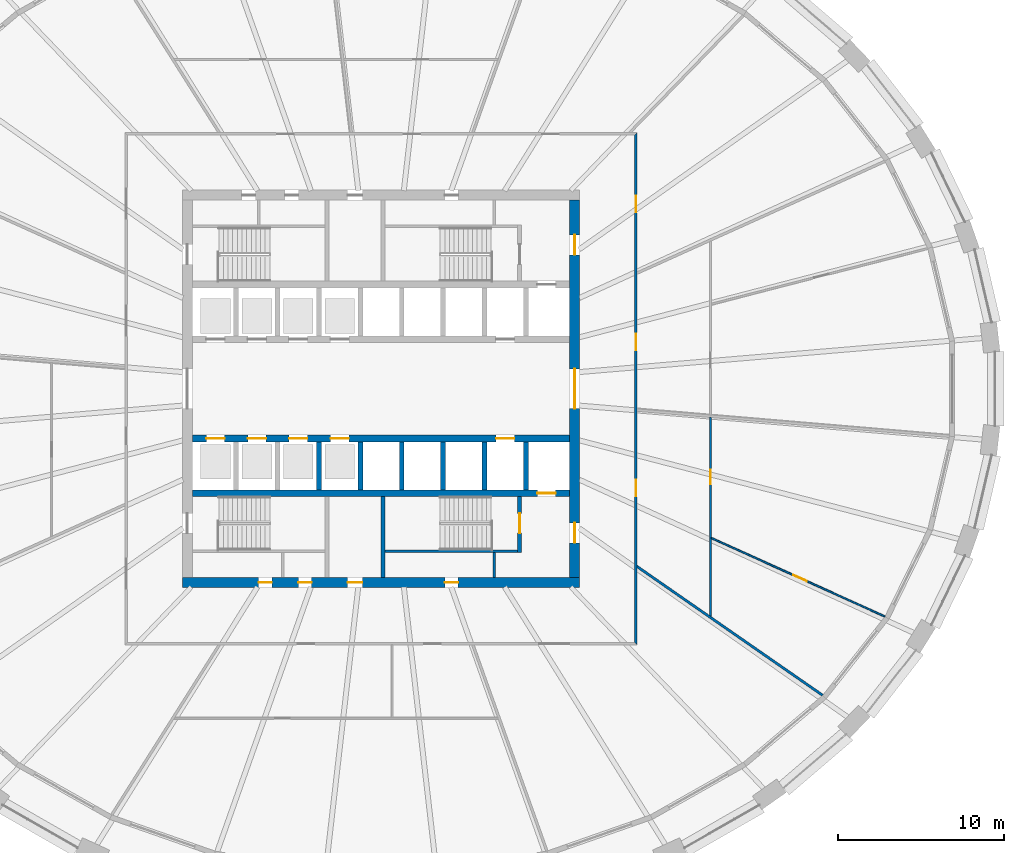
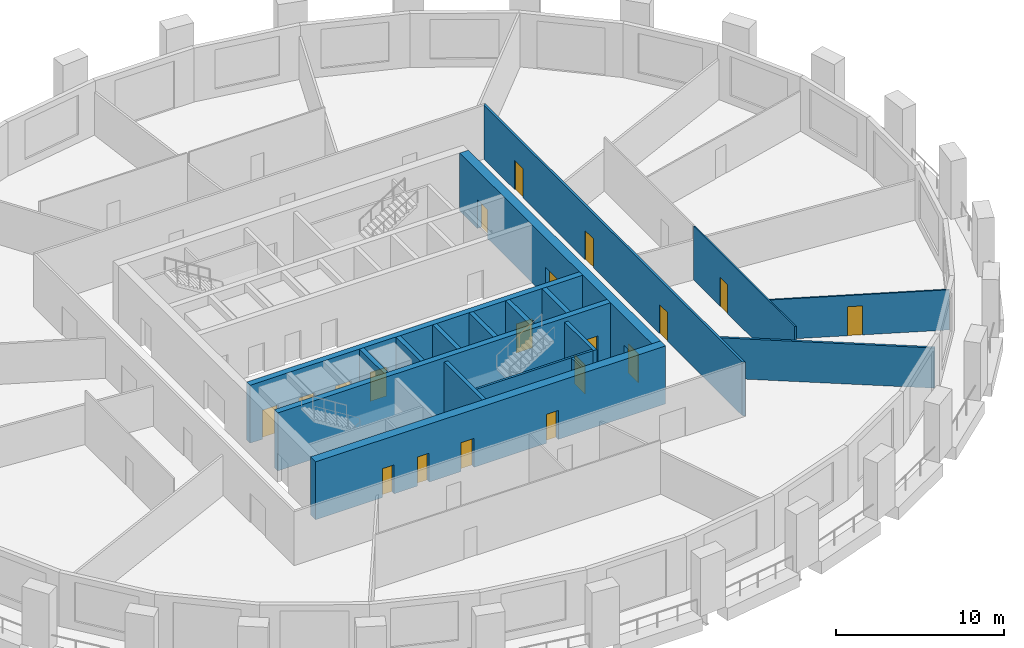
# One storey, part 4 of 10: 19 doors, 18 walls, 19 openings.
"""IFC4 building model written with IfcOpenShell, lengths in metres."""

from ifc_helpers import new_model, si_unit, direction, frame, frame_2d, origin, place, context, subcontext, project, spatial, polyline, rectangle, outline, extrude, material, layer, layer_set, type_object, element, fill, save


model = new_model("IFC4")

# Units and contexts
model_context = context("Model", 3, precision=1e-05, world=origin(), true_north=direction((0.0, 1.0)))
body_context = subcontext(model_context, "Body", "Model", "MODEL_VIEW")
ifc_project = project(units=[si_unit("LENGTHUNIT", "METRE"), si_unit("AREAUNIT", "SQUARE_METRE"), si_unit("VOLUMEUNIT", "CUBIC_METRE"), si_unit("PLANEANGLEUNIT", "RADIAN"), si_unit("MASSUNIT", "GRAM", prefix="KILO")], contexts=[model_context])

# Site, building, storey
site_placement = place(None, origin())
site = spatial("IfcSite", under=ifc_project, at=site_placement, CompositionType="ELEMENT")
building_placement = place(site_placement, origin())
building = spatial("IfcBuilding", under=site, at=building_placement, Name="Halqa Exchange Tower", CompositionType="ELEMENT")
storey_placement = place(building_placement, frame((0.0, 0.0, 57.10009765625)))
storey = spatial("IfcBuildingStorey", under=building, at=storey_placement, Name="L12", CompositionType="ELEMENT", Elevation=57.10009765625)

# Wall, openings, doors
ifc_material_1 = material(Name="Fire-rated gypsum board")
ifc_layer_1 = layer(ifc_material_1, 0.14990234375)
ifc_layer_set_1 = layer_set([ifc_layer_1], Name="Fire-rated gypsum board")
wall_type_1 = type_object("IfcWallType", Name="Fire partition EI 60 150", PredefinedType="PARTITIONING", material=ifc_layer_set_1)
wall_1_placement = place(storey_placement, frame((15.39990234375, -15.47509765625, 0.0), z_axis=(0.0, 0.0, 1.0), x_axis=(0.0, 1.0, 0.0)))
wall_1 = element("IfcWall", 1, at=wall_1_placement, inside=storey, type_object=wall_type_1, Name="L12-PWL-018", PredefinedType="PARTITIONING", context=body_context, shape_type="SweptSolid", body=[
    extrude(outline(polyline([(0.000244140625, -0.074951171875), (1.9345703125, -0.074951171875), (3.868896484375, -0.074951171875), (5.80322265625, -0.074951171875), (7.73779296875, -0.074951171875), (9.672119140625, -0.074951171875), (11.6064453125, -0.074951171875), (13.540771484375, -0.074951171875), (15.47509765625, -0.074951171875), (17.409423828125, -0.074951171875), (19.34375, -0.074951171875), (21.278076171875, -0.074951171875), (23.21240234375, -0.074951171875), (25.14697265625, -0.074951171875), (27.081298828125, -0.074951171875), (29.015625, -0.074951171875), (30.949951171875, -0.074951171875), (30.800048828125, 0.074951171875), (28.884521484375, 0.074951171875), (26.96875, 0.074951171875), (25.05322265625, 0.074951171875), (23.1376953125, 0.074951171875), (21.221923828125, 0.074951171875), (19.306396484375, 0.074951171875), (17.390625, 0.074951171875), (15.47509765625, 0.074951171875), (13.5595703125, 0.074951171875), (11.643798828125, 0.074951171875), (9.728271484375, 0.074951171875), (7.8125, 0.074951171875), (5.89697265625, 0.074951171875), (3.9814453125, 0.074951171875), (2.065673828125, 0.074951171875), (0.150146484375, 0.074951171875), (0.000244140625, -0.074951171875)])), origin(), (0.0, 0.0, 1.0), 3.89990234375),
])
opening_1_placement = place(wall_1_placement, frame((8.989990234375, 0.0, 0.0)))
opening_1 = element("IfcOpeningElement", 2, at=opening_1_placement, cuts=wall_1, Name="Opening 03-10", PredefinedType="OPENING", context=body_context, shape_type="SweptSolid", body=[
    extrude(rectangle(XDim=1.0, YDim=2.10009765625, at=frame_2d((0.5, 1.050048828125))), frame((0.0, 0.0869140625, 0.0), z_axis=(0.0, -1.0, 0.0), x_axis=(1.0, 0.0, 0.0)), (0.0, 0.0, 1.0), 0.173828125),
])
opening_2_placement = place(wall_1_placement, frame((17.81494140625, 0.0, 0.0)))
opening_2 = element("IfcOpeningElement", 3, at=opening_2_placement, cuts=wall_1, Name="Opening 03-11", PredefinedType="OPENING", context=body_context, shape_type="SweptSolid", body=[
    extrude(rectangle(XDim=1.0, YDim=2.10009765625, at=frame_2d((0.5, 1.050048828125))), frame((0.0, 0.0869140625, 0.0), z_axis=(0.0, -1.0, 0.0), x_axis=(1.0, 0.0, 0.0)), (0.0, 0.0, 1.0), 0.173828125),
])
opening_3_placement = place(wall_1_placement, frame((26.155029296875, 0.0, 0.0)))
opening_3 = element("IfcOpeningElement", 4, at=opening_3_placement, cuts=wall_1, Name="Opening 03-12", PredefinedType="OPENING", context=body_context, shape_type="SweptSolid", body=[
    extrude(rectangle(XDim=1.0, YDim=2.10009765625, at=frame_2d((0.5, 1.050048828125))), frame((0.0, 0.0869140625, 0.0), z_axis=(0.0, -1.0, 0.0), x_axis=(1.0, 0.0, 0.0)), (0.0, 0.0, 1.0), 0.173828125),
])
ifc_material_2 = material(Name="Steel fire door leaf", Category="steel")
door_type_1 = type_object("IfcDoorType", Name="Fire door FD30S 1000 x 2100", OperationType="SINGLE_SWING_LEFT", PredefinedType="DOOR", material=ifc_material_2)
door_1_placement = place(opening_1_placement, frame((1.0, 0.0, 0.0), z_axis=(0.0, 0.0, 1.0), x_axis=(-1.0, 0.0, 0.0)))
door_1 = element("IfcDoor", 5, at=door_1_placement, inside=storey, type_object=door_type_1, Name="L12-IDR-010", OperationType="SINGLE_SWING_RIGHT", OverallHeight=2.10009765625, OverallWidth=1.0, PredefinedType="DOOR", context=body_context, shape_type="SweptSolid", body=[
    extrude(rectangle(XDim=1.0, YDim=2.10009765625, at=frame_2d((0.5, 1.050048828125))), frame((0.0, 0.02490234375, 0.0), z_axis=(0.0, -1.0, 0.0), x_axis=(1.0, 0.0, 0.0)), (0.0, 0.0, 1.0), 0.050048828125),
])
fill(opening_1, door_1)
door_2_placement = place(opening_2_placement, frame((1.0, 0.0, 0.0), z_axis=(0.0, 0.0, 1.0), x_axis=(-1.0, 0.0, 0.0)))
door_2 = element("IfcDoor", 6, at=door_2_placement, inside=storey, type_object=door_type_1, Name="L12-IDR-011", OperationType="SINGLE_SWING_RIGHT", OverallHeight=2.10009765625, OverallWidth=1.0, PredefinedType="DOOR", context=body_context, shape_type="SweptSolid", body=[
    extrude(rectangle(XDim=1.0, YDim=2.10009765625, at=frame_2d((0.5, 1.050048828125))), frame((0.0, 0.02490234375, 0.0), z_axis=(0.0, -1.0, 0.0), x_axis=(1.0, 0.0, 0.0)), (0.0, 0.0, 1.0), 0.050048828125),
])
fill(opening_2, door_2)
door_3_placement = place(opening_3_placement, frame((1.0, 0.0, 0.0), z_axis=(0.0, 0.0, 1.0), x_axis=(-1.0, 0.0, 0.0)))
door_3 = element("IfcDoor", 7, at=door_3_placement, inside=storey, type_object=door_type_1, Name="L12-IDR-012", OperationType="SINGLE_SWING_LEFT", OverallHeight=2.10009765625, OverallWidth=1.0, PredefinedType="DOOR", context=body_context, shape_type="SweptSolid", body=[
    extrude(rectangle(XDim=1.0, YDim=2.10009765625, at=frame_2d((0.5, 1.050048828125))), frame((0.0, 0.02490234375, 0.0), z_axis=(0.0, -1.0, 0.0), x_axis=(1.0, 0.0, 0.0)), (0.0, 0.0, 1.0), 0.050048828125),
])
fill(opening_3, door_3)

# Wall
wall_2_placement = place(storey_placement, frame((15.4326171875, -10.71240234375, 0.0), z_axis=(0.0, 0.0, 1.0), x_axis=(0.82159356676, -0.570073689148, 0.0)))
element("IfcWall", 8, at=wall_2_placement, inside=storey, type_object=wall_type_1, Name="L12-PWL-019", PredefinedType="PARTITIONING", context=body_context, shape_type="SweptSolid", body=[
    extrude(outline(polyline([(0.103515625, -0.074951171875), (2.04150390625, -0.074951171875), (3.9794921875, -0.074951171875), (5.917236328125, -0.074951171875), (7.855224609375, -0.074951171875), (9.793212890625, -0.074951171875), (11.731201171875, -0.074951171875), (13.6689453125, -0.074951171875), (13.689697265625, 0.001953125), (13.694091796875, 0.073974609375), (13.694091796875, 0.074951171875), (12.021484375, 0.074951171875), (10.348876953125, 0.074951171875), (8.67626953125, 0.074951171875), (7.003662109375, 0.074951171875), (5.331298828125, 0.074951171875), (5.32666015625, 0.07177734375), (5.32470703125, 0.074951171875), (3.5498046875, 0.074951171875), (1.77490234375, 0.074951171875), (0.0, 0.074951171875), (0.0, 0.074462890625), (0.103515625, -0.074951171875)])), origin(), (0.0, 0.0, 1.0), 2.909912109375),
])

# Wall, opening, door
ifc_material_3 = material(Name="Gypsum board")
ifc_layer_2 = layer(ifc_material_3, 0.10009765625)
ifc_layer_set_2 = layer_set([ifc_layer_2], Name="Gypsum board")
wall_type_2 = type_object("IfcWallType", Name="Partition 100 gypsum", PredefinedType="PARTITIONING", material=ifc_layer_set_2)
wall_3_placement = place(storey_placement, frame((19.89990234375, -13.755615234375, 0.0), z_axis=(0.0, 0.0, 1.0), x_axis=(0.0, 1.0, 0.0)))
wall_3 = element("IfcWall", 9, at=wall_3_placement, inside=storey, type_object=wall_type_2, Name="L12-PWL-022", PredefinedType="PARTITIONING", context=body_context, shape_type="SweptSolid", body=[
    extrude(outline(polyline([(0.0, -0.050048828125), (1.562744140625, -0.050048828125), (3.12548828125, -0.050048828125), (4.688232421875, -0.050048828125), (4.689208984375, -0.0478515625), (4.69384765625, -0.050048828125), (6.525390625, -0.050048828125), (8.35693359375, -0.050048828125), (10.188232421875, -0.050048828125), (12.019775390625, -0.050048828125), (12.028076171875, 0.049072265625), (12.028076171875, 0.050048828125), (10.034912109375, 0.050048828125), (8.041748046875, 0.050048828125), (6.048828125, 0.050048828125), (4.0556640625, 0.050048828125), (2.0625, 0.050048828125), (0.0693359375, 0.050048828125), (0.0, -0.050048828125), (0.0, -0.050048828125)])), origin(), (0.0, 0.0, 1.0), 3.89990234375),
])
opening_4_placement = place(wall_3_placement, frame((7.98046875, 0.0, 0.0)))
opening_4 = element("IfcOpeningElement", 10, at=opening_4_placement, cuts=wall_3, Name="Opening 03-18", PredefinedType="OPENING", context=body_context, shape_type="SweptSolid", body=[
    extrude(rectangle(XDim=0.89990234375, YDim=2.10009765625, at=frame_2d((0.449951171875, 1.050048828125))), frame((0.0, 0.06201171875, 0.0), z_axis=(0.0, -1.0, 0.0), x_axis=(1.0, 0.0, 0.0)), (0.0, 0.0, 1.0), 0.1240234375),
])
ifc_material_4 = material(Name="Timber door leaf", Category="wood")
door_type_2 = type_object("IfcDoorType", Name="Door 900 x 2100", OperationType="SINGLE_SWING_LEFT", PredefinedType="DOOR", material=ifc_material_4)
door_4_placement = place(opening_4_placement, origin())
door_4 = element("IfcDoor", 11, at=door_4_placement, inside=storey, type_object=door_type_2, Name="L12-IDR-018", OperationType="SINGLE_SWING_LEFT", OverallHeight=2.10009765625, OverallWidth=0.89990234375, PredefinedType="DOOR", context=body_context, shape_type="SweptSolid", body=[
    extrude(rectangle(XDim=0.89990234375, YDim=2.10009765625, at=frame_2d((0.449951171875, 1.050048828125))), frame((0.0, 0.02490234375, 0.0), z_axis=(0.0, -1.0, 0.0), x_axis=(1.0, 0.0, 0.0)), (0.0, 0.0, 1.0), 0.050048828125),
])
fill(opening_4, door_4)

wall_4_placement = place(storey_placement, frame((19.9296875, -9.00341796875, 0.0), z_axis=(0.0, 0.0, 1.0), x_axis=(0.911257901719, -0.41183617684, 0.0)))
wall_4 = element("IfcWall", 12, at=wall_4_placement, inside=storey, type_object=wall_type_2, Name="L12-PWL-023", PredefinedType="PARTITIONING", context=body_context, shape_type="SweptSolid", body=[
    extrude(outline(polyline([(0.044921875, -0.050048828125), (1.9580078125, -0.050048828125), (3.871337890625, -0.050048828125), (5.78466796875, -0.050048828125), (7.69775390625, -0.050048828125), (9.611083984375, -0.050048828125), (11.524169921875, -0.050048828125), (11.535888671875, -0.003662109375), (11.537353515625, 0.0478515625), (11.537353515625, 0.050048828125), (9.614501953125, 0.050048828125), (7.691650390625, 0.050048828125), (5.7685546875, 0.050048828125), (3.845703125, 0.050048828125), (1.9228515625, 0.050048828125), (0.0, 0.050048828125), (0.0, 0.04931640625), (0.044921875, -0.050048828125)])), origin(), (0.0, 0.0, 1.0), 2.909912109375),
])
opening_5_placement = place(wall_4_placement, frame((5.454345703125, 0.0, 0.0)))
opening_5 = element("IfcOpeningElement", 13, at=opening_5_placement, cuts=wall_4, Name="Opening 03-19", PredefinedType="OPENING", context=body_context, shape_type="SweptSolid", body=[
    extrude(rectangle(XDim=0.89990234375, YDim=2.10009765625, at=frame_2d((0.449951171875, 1.050048828125))), frame((0.0, 0.06201171875, 0.0), z_axis=(0.0, -1.0, 0.0), x_axis=(1.0, 0.0, 0.0)), (0.0, 0.0, 1.0), 0.1240234375),
])
door_5_placement = place(opening_5_placement, frame((0.89990234375, 0.0, 0.0), z_axis=(0.0, 0.0, 1.0), x_axis=(-1.0, 0.0, 0.0)))
door_5 = element("IfcDoor", 14, at=door_5_placement, inside=storey, type_object=door_type_2, Name="L12-IDR-019", OperationType="SINGLE_SWING_RIGHT", OverallHeight=2.10009765625, OverallWidth=0.89990234375, PredefinedType="DOOR", context=body_context, shape_type="SweptSolid", body=[
    extrude(rectangle(XDim=0.89990234375, YDim=2.10009765625, at=frame_2d((0.449951171875, 1.050048828125))), frame((0.0, 0.02490234375, 0.0), z_axis=(0.0, -1.0, 0.0), x_axis=(1.0, 0.0, 0.0)), (0.0, 0.0, 1.0), 0.050048828125),
])
fill(opening_5, door_5)

# Walls
ifc_layer_3 = layer(ifc_material_3, 0.14990234375)
ifc_layer_set_3 = layer_set([ifc_layer_3], Name="Gypsum board")
wall_type_3 = type_object("IfcWallType", Name="Penthouse riser wall 150 gypsum", PredefinedType="PARTITIONING", material=ifc_layer_set_3)
wall_5_placement = place(storey_placement, frame((6.824951171875, -11.39990234375, 0.0), z_axis=(0.0, 0.0, 1.0), x_axis=(0.0, 1.0, 0.0)))
element("IfcWall", 15, at=wall_5_placement, inside=storey, type_object=wall_type_3, Name="Firefighting lobby west wall S", PredefinedType="PARTITIONING", context=body_context, shape_type="SweptSolid", body=[
    extrude(rectangle(XDim=1.5, YDim=0.14990234375, at=frame_2d((0.75, 0.0))), origin(), (0.0, 0.0, 1.0), 3.89990234375),
])
ifc_material_5 = material(Name="Concrete C60/75", Category="concrete")
ifc_layer_4 = layer(ifc_material_5, 0.300048828125)
ifc_layer_set_4 = layer_set([ifc_layer_4], Name="Concrete C60/75")
wall_type_4 = type_object("IfcWallType", Name="RC core wall 300", PredefinedType="SHEAR", material=ifc_layer_set_4)
for number, where, z_axis, x_axis, name in (
    (16, (-3.75, -6.10009765625, 0.0), (0.0, 0.0, 1.0), (0.0, 1.0, 0.0), "Shaft divider S3"),
    (17, (-1.25, -6.10009765625, 0.0), (0.0, 0.0, 1.0), (0.0, 1.0, 0.0), "Shaft divider S4"),
    (18, (1.25, -6.10009765625, 0.0), (0.0, 0.0, 1.0), (0.0, 1.0, 0.0), "Shaft divider S5"),
    (19, (3.75, -6.10009765625, 0.0), (0.0, 0.0, 1.0), (0.0, 1.0, 0.0), "Shaft divider S6"),
    (20, (6.25, -6.10009765625, 0.0), (0.0, 0.0, 1.0), (0.0, 1.0, 0.0), "Shaft divider S7"),
    (21, (8.75, -6.10009765625, 0.0), (0.0, 0.0, 1.0), (0.0, 1.0, 0.0), "Shaft divider S8"),
):
    element("IfcWall", number, at=place(storey_placement, frame(where, z_axis=z_axis, x_axis=x_axis)), inside=storey, type_object=wall_type_4, Name=name, PredefinedType="SHEAR", context=body_context, shape_type="SweptSolid", body=[
        extrude(rectangle(XDim=2.900146484375, YDim=0.300048828125, at=frame_2d((1.4501953125, 0.0))), origin(), (0.0, 0.0, 1.0), 4.199951171875),
    ])

# Wall, openings, doors
ifc_material_6 = material(Name="Concrete C80/95", Category="concrete")
ifc_layer_5 = layer(ifc_material_6, 0.39990234375)
ifc_layer_set_5 = layer_set([ifc_layer_5], Name="Concrete C80/95")
wall_type_5 = type_object("IfcWallType", Name="RC core wall 400 C80/95", PredefinedType="SHEAR", material=ifc_layer_set_5)
wall_6_placement = place(storey_placement, frame((-11.39990234375, -3.0, 0.0), z_axis=(0.0, 0.0, 1.0), x_axis=(1.0, 0.0, 0.0)))
wall_6 = element("IfcWall", 22, at=wall_6_placement, inside=storey, type_object=wall_type_5, Name="Lift row front wall S", PredefinedType="SHEAR", context=body_context, shape_type="SweptSolid", body=[
    extrude(rectangle(XDim=22.7998046875, YDim=0.39990234375, at=frame_2d((11.39990234375, 0.0))), origin(), (0.0, 0.0, 1.0), 4.199951171875),
])
opening_6_placement = place(wall_6_placement, frame((0.85009765625, 0.0, 0.0)))
opening_6 = element("IfcOpeningElement", 23, at=opening_6_placement, cuts=wall_6, Name="Opening LD-LR5-T03", PredefinedType="OPENING", context=body_context, shape_type="SweptSolid", body=[
    extrude(rectangle(XDim=1.10009765625, YDim=2.10009765625, at=frame_2d((0.550048828125, 1.050048828125))), frame((0.0, 0.2119140625, 0.0), z_axis=(0.0, -1.0, 0.0), x_axis=(1.0, 0.0, 0.0)), (0.0, 0.0, 1.0), 0.423828125),
])
opening_7_placement = place(wall_6_placement, frame((3.35009765625, 0.0, 0.0)))
opening_7 = element("IfcOpeningElement", 24, at=opening_7_placement, cuts=wall_6, Name="Opening LD-LR6-T03", PredefinedType="OPENING", context=body_context, shape_type="SweptSolid", body=[
    extrude(rectangle(XDim=1.10009765625, YDim=2.10009765625, at=frame_2d((0.550048828125, 1.050048828125))), frame((0.0, 0.2119140625, 0.0), z_axis=(0.0, -1.0, 0.0), x_axis=(1.0, 0.0, 0.0)), (0.0, 0.0, 1.0), 0.423828125),
])
opening_8_placement = place(wall_6_placement, frame((5.85009765625, 0.0, 0.0)))
opening_8 = element("IfcOpeningElement", 25, at=opening_8_placement, cuts=wall_6, Name="Opening LD-LR7-T03", PredefinedType="OPENING", context=body_context, shape_type="SweptSolid", body=[
    extrude(rectangle(XDim=1.10009765625, YDim=2.10009765625, at=frame_2d((0.550048828125, 1.050048828125))), frame((0.0, 0.2119140625, 0.0), z_axis=(0.0, -1.0, 0.0), x_axis=(1.0, 0.0, 0.0)), (0.0, 0.0, 1.0), 0.423828125),
])
opening_9_placement = place(wall_6_placement, frame((8.35009765625, 0.0, 0.0)))
opening_9 = element("IfcOpeningElement", 26, at=opening_9_placement, cuts=wall_6, Name="Opening LD-LR8-T03", PredefinedType="OPENING", context=body_context, shape_type="SweptSolid", body=[
    extrude(rectangle(XDim=1.10009765625, YDim=2.10009765625, at=frame_2d((0.550048828125, 1.050048828125))), frame((0.0, 0.2119140625, 0.0), z_axis=(0.0, -1.0, 0.0), x_axis=(1.0, 0.0, 0.0)), (0.0, 0.0, 1.0), 0.423828125),
])
opening_10_placement = place(wall_6_placement, frame((18.35009765625, 0.0, 0.0)))
opening_10 = element("IfcOpeningElement", 27, at=opening_10_placement, cuts=wall_6, Name="Opening LD-SV2-T03", PredefinedType="OPENING", context=body_context, shape_type="SweptSolid", body=[
    extrude(rectangle(XDim=1.10009765625, YDim=2.10009765625, at=frame_2d((0.550048828125, 1.050048828125))), frame((0.0, 0.2119140625, 0.0), z_axis=(0.0, -1.0, 0.0), x_axis=(1.0, 0.0, 0.0)), (0.0, 0.0, 1.0), 0.423828125),
])
ifc_material_7 = material(Name="Stainless steel", Category="steel")
door_type_3 = type_object("IfcDoorType", Name="Lift landing door 1100 x 2100", OperationType="SLIDING_TO_LEFT", PredefinedType="DOOR", material=ifc_material_7)
door_6_placement = place(opening_6_placement, origin())
door_6 = element("IfcDoor", 28, at=door_6_placement, inside=storey, type_object=door_type_3, Name="Lift landing door LR5", OperationType="SLIDING_TO_LEFT", OverallHeight=2.10009765625, OverallWidth=1.10009765625, PredefinedType="DOOR", context=body_context, shape_type="SweptSolid", body=[
    extrude(rectangle(XDim=1.10009765625, YDim=2.10009765625, at=frame_2d((0.550048828125, 1.050048828125))), frame((0.0, 0.02490234375, 0.0), z_axis=(0.0, -1.0, 0.0), x_axis=(1.0, 0.0, 0.0)), (0.0, 0.0, 1.0), 0.050048828125),
])
fill(opening_6, door_6)
door_7_placement = place(opening_7_placement, origin())
door_7 = element("IfcDoor", 29, at=door_7_placement, inside=storey, type_object=door_type_3, Name="Lift landing door LR6", OperationType="SLIDING_TO_LEFT", OverallHeight=2.10009765625, OverallWidth=1.10009765625, PredefinedType="DOOR", context=body_context, shape_type="SweptSolid", body=[
    extrude(rectangle(XDim=1.10009765625, YDim=2.10009765625, at=frame_2d((0.550048828125, 1.050048828125))), frame((0.0, 0.02490234375, 0.0), z_axis=(0.0, -1.0, 0.0), x_axis=(1.0, 0.0, 0.0)), (0.0, 0.0, 1.0), 0.050048828125),
])
fill(opening_7, door_7)
door_8_placement = place(opening_8_placement, origin())
door_8 = element("IfcDoor", 30, at=door_8_placement, inside=storey, type_object=door_type_3, Name="Lift landing door LR7", OperationType="SLIDING_TO_LEFT", OverallHeight=2.10009765625, OverallWidth=1.10009765625, PredefinedType="DOOR", context=body_context, shape_type="SweptSolid", body=[
    extrude(rectangle(XDim=1.10009765625, YDim=2.10009765625, at=frame_2d((0.550048828125, 1.050048828125))), frame((0.0, 0.02490234375, 0.0), z_axis=(0.0, -1.0, 0.0), x_axis=(1.0, 0.0, 0.0)), (0.0, 0.0, 1.0), 0.050048828125),
])
fill(opening_8, door_8)
door_9_placement = place(opening_9_placement, origin())
door_9 = element("IfcDoor", 31, at=door_9_placement, inside=storey, type_object=door_type_3, Name="Lift landing door LR8", OperationType="SLIDING_TO_LEFT", OverallHeight=2.10009765625, OverallWidth=1.10009765625, PredefinedType="DOOR", context=body_context, shape_type="SweptSolid", body=[
    extrude(rectangle(XDim=1.10009765625, YDim=2.10009765625, at=frame_2d((0.550048828125, 1.050048828125))), frame((0.0, 0.02490234375, 0.0), z_axis=(0.0, -1.0, 0.0), x_axis=(1.0, 0.0, 0.0)), (0.0, 0.0, 1.0), 0.050048828125),
])
fill(opening_9, door_9)
door_10_placement = place(opening_10_placement, origin())
door_10 = element("IfcDoor", 32, at=door_10_placement, inside=storey, type_object=door_type_3, Name="Lift landing door SV2", OperationType="SLIDING_TO_LEFT", OverallHeight=2.10009765625, OverallWidth=1.10009765625, PredefinedType="DOOR", context=body_context, shape_type="SweptSolid", body=[
    extrude(rectangle(XDim=1.10009765625, YDim=2.10009765625, at=frame_2d((0.550048828125, 1.050048828125))), frame((0.0, 0.02490234375, 0.0), z_axis=(0.0, -1.0, 0.0), x_axis=(1.0, 0.0, 0.0)), (0.0, 0.0, 1.0), 0.050048828125),
])
fill(opening_10, door_10)

# Wall, opening, door
wall_7_placement = place(storey_placement, frame((-11.39990234375, -6.300048828125, 0.0), z_axis=(0.0, 0.0, 1.0), x_axis=(1.0, 0.0, 0.0)))
wall_7 = element("IfcWall", 33, at=wall_7_placement, inside=storey, type_object=wall_type_5, Name="Lift row back wall S", PredefinedType="SHEAR", context=body_context, shape_type="SweptSolid", body=[
    extrude(rectangle(XDim=22.7998046875, YDim=0.39990234375, at=frame_2d((11.39990234375, 0.0))), origin(), (0.0, 0.0, 1.0), 4.199951171875),
])
opening_11_placement = place(wall_7_placement, frame((20.85009765625, 0.0, 0.0)))
opening_11 = element("IfcOpeningElement", 34, at=opening_11_placement, cuts=wall_7, Name="Opening LD-FF2-T03", PredefinedType="OPENING", context=body_context, shape_type="SweptSolid", body=[
    extrude(rectangle(XDim=1.10009765625, YDim=2.10009765625, at=frame_2d((0.550048828125, 1.050048828125))), frame((0.0, 0.2119140625, 0.0), z_axis=(0.0, -1.0, 0.0), x_axis=(1.0, 0.0, 0.0)), (0.0, 0.0, 1.0), 0.423828125),
])
door_11_placement = place(opening_11_placement, origin())
door_11 = element("IfcDoor", 35, at=door_11_placement, inside=storey, type_object=door_type_3, Name="Lift landing door FF2", OperationType="SLIDING_TO_LEFT", OverallHeight=2.10009765625, OverallWidth=1.10009765625, PredefinedType="DOOR", context=body_context, shape_type="SweptSolid", body=[
    extrude(rectangle(XDim=1.10009765625, YDim=2.10009765625, at=frame_2d((0.550048828125, 1.050048828125))), frame((0.0, 0.02490234375, 0.0), z_axis=(0.0, -1.0, 0.0), x_axis=(1.0, 0.0, 0.0)), (0.0, 0.0, 1.0), 0.050048828125),
])
fill(opening_11, door_11)

# Wall, openings, doors
ifc_layer_6 = layer(ifc_material_6, 0.60009765625)
ifc_layer_set_6 = layer_set([ifc_layer_6], Name="Concrete C80/95")
wall_type_6 = type_object("IfcWallType", Name="RC core wall 600 C80/95", PredefinedType="SHEAR", material=ifc_layer_set_6)
wall_8_placement = place(storey_placement, frame((-12.0, -11.699951171875, 0.0), z_axis=(0.0, 0.0, 1.0), x_axis=(1.0, 0.0, 0.0)))
wall_8 = element("IfcWall", 36, at=wall_8_placement, inside=storey, type_object=wall_type_6, Name="Core wall south", PredefinedType="SHEAR", context=body_context, shape_type="SweptSolid", body=[
    extrude(rectangle(XDim=24.0, YDim=0.60009765625, at=frame_2d((12.0, 0.0))), origin(), (0.0, 0.0, 1.0), 4.199951171875),
])
opening_12_placement = place(wall_8_placement, frame((9.97509765625, 0.0, 0.0)))
opening_12 = element("IfcOpeningElement", 37, at=opening_12_placement, cuts=wall_8, Name="Opening T03-C25", PredefinedType="OPENING", context=body_context, shape_type="SweptSolid", body=[
    extrude(rectangle(XDim=0.89990234375, YDim=2.10009765625, at=frame_2d((0.449951171875, 1.050048828125))), frame((0.0, 0.31201171875, 0.0), z_axis=(0.0, -1.0, 0.0), x_axis=(1.0, 0.0, 0.0)), (0.0, 0.0, 1.0), 0.6240234375),
])
opening_13_placement = place(wall_8_placement, frame((4.60009765625, 0.0, 0.0)))
opening_13 = element("IfcOpeningElement", 38, at=opening_13_placement, cuts=wall_8, Name="Opening T03-C26", PredefinedType="OPENING", context=body_context, shape_type="SweptSolid", body=[
    extrude(rectangle(XDim=0.800048828125, YDim=2.10009765625, at=frame_2d((0.39990234375, 1.050048828125))), frame((0.0, 0.31201171875, 0.0), z_axis=(0.0, -1.0, 0.0), x_axis=(1.0, 0.0, 0.0)), (0.0, 0.0, 1.0), 0.6240234375),
])
opening_14_placement = place(wall_8_placement, frame((7.0, 0.0, 0.0)))
opening_14 = element("IfcOpeningElement", 39, at=opening_14_placement, cuts=wall_8, Name="Opening T03-C27", PredefinedType="OPENING", context=body_context, shape_type="SweptSolid", body=[
    extrude(rectangle(XDim=0.800048828125, YDim=2.10009765625, at=frame_2d((0.39990234375, 1.050048828125))), frame((0.0, 0.31201171875, 0.0), z_axis=(0.0, -1.0, 0.0), x_axis=(1.0, 0.0, 0.0)), (0.0, 0.0, 1.0), 0.6240234375),
])
opening_15_placement = place(wall_8_placement, frame((15.85009765625, 0.0, 0.0)))
opening_15 = element("IfcOpeningElement", 40, at=opening_15_placement, cuts=wall_8, Name="Opening T03-C28", PredefinedType="OPENING", context=body_context, shape_type="SweptSolid", body=[
    extrude(rectangle(XDim=0.800048828125, YDim=2.10009765625, at=frame_2d((0.39990234375, 1.050048828125))), frame((0.0, 0.31201171875, 0.0), z_axis=(0.0, -1.0, 0.0), x_axis=(1.0, 0.0, 0.0)), (0.0, 0.0, 1.0), 0.6240234375),
])
ifc_material_8 = material(Name="Timber fire door leaf", Category="wood")
door_type_4 = type_object("IfcDoorType", Name="Core room door FD30 900 x 2100", OperationType="SINGLE_SWING_LEFT", PredefinedType="DOOR", material=ifc_material_8)
door_12_placement = place(opening_12_placement, origin())
door_12 = element("IfcDoor", 41, at=door_12_placement, inside=storey, type_object=door_type_4, Name="Core room door", OperationType="SINGLE_SWING_LEFT", OverallHeight=2.10009765625, OverallWidth=0.89990234375, PredefinedType="DOOR", context=body_context, shape_type="SweptSolid", body=[
    extrude(rectangle(XDim=0.89990234375, YDim=2.10009765625, at=frame_2d((0.449951171875, 1.050048828125))), frame((0.0, 0.02490234375, 0.0), z_axis=(0.0, -1.0, 0.0), x_axis=(1.0, 0.0, 0.0)), (0.0, 0.0, 1.0), 0.050048828125),
])
fill(opening_12, door_12)
door_type_5 = type_object("IfcDoorType", Name="Riser door FD60 800 x 2100", OperationType="SINGLE_SWING_LEFT", PredefinedType="DOOR", material=ifc_material_2)
door_13_placement = place(opening_13_placement, origin())
door_13 = element("IfcDoor", 42, at=door_13_placement, inside=storey, type_object=door_type_5, Name="Core room door", OperationType="SINGLE_SWING_LEFT", OverallHeight=2.10009765625, OverallWidth=0.800048828125, PredefinedType="DOOR", context=body_context, shape_type="SweptSolid", body=[
    extrude(rectangle(XDim=0.800048828125, YDim=2.10009765625, at=frame_2d((0.39990234375, 1.050048828125))), frame((0.0, 0.02490234375, 0.0), z_axis=(0.0, -1.0, 0.0), x_axis=(1.0, 0.0, 0.0)), (0.0, 0.0, 1.0), 0.050048828125),
])
fill(opening_13, door_13)
door_14_placement = place(opening_14_placement, origin())
door_14 = element("IfcDoor", 43, at=door_14_placement, inside=storey, type_object=door_type_5, Name="Core room door", OperationType="SINGLE_SWING_LEFT", OverallHeight=2.10009765625, OverallWidth=0.800048828125, PredefinedType="DOOR", context=body_context, shape_type="SweptSolid", body=[
    extrude(rectangle(XDim=0.800048828125, YDim=2.10009765625, at=frame_2d((0.39990234375, 1.050048828125))), frame((0.0, 0.02490234375, 0.0), z_axis=(0.0, -1.0, 0.0), x_axis=(1.0, 0.0, 0.0)), (0.0, 0.0, 1.0), 0.050048828125),
])
fill(opening_14, door_14)
door_15_placement = place(opening_15_placement, origin())
door_15 = element("IfcDoor", 44, at=door_15_placement, inside=storey, type_object=door_type_5, Name="Core room door", OperationType="SINGLE_SWING_LEFT", OverallHeight=2.10009765625, OverallWidth=0.800048828125, PredefinedType="DOOR", context=body_context, shape_type="SweptSolid", body=[
    extrude(rectangle(XDim=0.800048828125, YDim=2.10009765625, at=frame_2d((0.39990234375, 1.050048828125))), frame((0.0, 0.02490234375, 0.0), z_axis=(0.0, -1.0, 0.0), x_axis=(1.0, 0.0, 0.0)), (0.0, 0.0, 1.0), 0.050048828125),
])
fill(opening_15, door_15)

wall_9_placement = place(storey_placement, frame((11.699951171875, -11.39990234375, 0.0), z_axis=(0.0, 0.0, 1.0), x_axis=(0.0, 1.0, 0.0)))
wall_9 = element("IfcWall", 45, at=wall_9_placement, inside=storey, type_object=wall_type_6, Name="Core wall east", PredefinedType="SHEAR", context=body_context, shape_type="SweptSolid", body=[
    extrude(rectangle(XDim=22.7998046875, YDim=0.60009765625, at=frame_2d((11.39990234375, 0.0))), origin(), (0.0, 0.0, 1.0), 4.199951171875),
])
opening_16_placement = place(wall_9_placement, frame((10.199951171875, 0.0, 0.0)))
opening_16 = element("IfcOpeningElement", 46, at=opening_16_placement, cuts=wall_9, Name="Opening T03-C14", PredefinedType="OPENING", context=body_context, shape_type="SweptSolid", body=[
    extrude(rectangle(XDim=2.39990234375, YDim=2.10009765625, at=frame_2d((1.199951171875, 1.050048828125))), frame((0.0, 0.31201171875, 0.0), z_axis=(0.0, -1.0, 0.0), x_axis=(1.0, 0.0, 0.0)), (0.0, 0.0, 1.0), 0.6240234375),
])
opening_17_placement = place(wall_9_placement, frame((19.5, 0.0, 0.0)))
opening_17 = element("IfcOpeningElement", 47, at=opening_17_placement, cuts=wall_9, Name="Opening T03-C19", PredefinedType="OPENING", context=body_context, shape_type="SweptSolid", body=[
    extrude(rectangle(XDim=1.199951171875, YDim=2.10009765625, at=frame_2d((0.60009765625, 1.050048828125))), frame((0.0, 0.31201171875, 0.0), z_axis=(0.0, -1.0, 0.0), x_axis=(1.0, 0.0, 0.0)), (0.0, 0.0, 1.0), 0.6240234375),
])
opening_18_placement = place(wall_9_placement, frame((2.10009765625, 0.0, 0.0)))
opening_18 = element("IfcOpeningElement", 48, at=opening_18_placement, cuts=wall_9, Name="Opening T03-C20", PredefinedType="OPENING", context=body_context, shape_type="SweptSolid", body=[
    extrude(rectangle(XDim=1.199951171875, YDim=2.10009765625, at=frame_2d((0.60009765625, 1.050048828125))), frame((0.0, 0.31201171875, 0.0), z_axis=(0.0, -1.0, 0.0), x_axis=(1.0, 0.0, 0.0)), (0.0, 0.0, 1.0), 0.6240234375),
])
door_type_6 = type_object("IfcDoorType", Name="Firefighting lobby door FD90 1200 x 2100", OperationType="SINGLE_SWING_RIGHT", PredefinedType="DOOR", material=ifc_material_2)
door_16_placement = place(opening_17_placement, origin())
door_16 = element("IfcDoor", 49, at=door_16_placement, inside=storey, type_object=door_type_6, Name="Firefighting lobby door", OperationType="SINGLE_SWING_RIGHT", OverallHeight=2.10009765625, OverallWidth=1.199951171875, PredefinedType="DOOR", context=body_context, shape_type="SweptSolid", body=[
    extrude(rectangle(XDim=1.199951171875, YDim=2.10009765625, at=frame_2d((0.60009765625, 1.050048828125))), frame((0.0, 0.02490234375, 0.0), z_axis=(0.0, -1.0, 0.0), x_axis=(1.0, 0.0, 0.0)), (0.0, 0.0, 1.0), 0.050048828125),
])
fill(opening_17, door_16)
door_17_placement = place(opening_18_placement, origin())
door_17 = element("IfcDoor", 50, at=door_17_placement, inside=storey, type_object=door_type_6, Name="Firefighting lobby door", OperationType="SINGLE_SWING_LEFT", OverallHeight=2.10009765625, OverallWidth=1.199951171875, PredefinedType="DOOR", context=body_context, shape_type="SweptSolid", body=[
    extrude(rectangle(XDim=1.199951171875, YDim=2.10009765625, at=frame_2d((0.60009765625, 1.050048828125))), frame((0.0, 0.02490234375, 0.0), z_axis=(0.0, -1.0, 0.0), x_axis=(1.0, 0.0, 0.0)), (0.0, 0.0, 1.0), 0.050048828125),
])
fill(opening_18, door_17)
door_type_7 = type_object("IfcDoorType", Name="Lobby double door FD60 2400 x 2100", OperationType="DOUBLE_DOOR_SINGLE_SWING", PredefinedType="DOOR", material=ifc_material_2)
door_18_placement = place(opening_16_placement, origin())
door_18 = element("IfcDoor", 51, at=door_18_placement, inside=storey, type_object=door_type_7, Name="Lift lobby double door", OperationType="DOUBLE_DOOR_SINGLE_SWING", OverallHeight=2.10009765625, OverallWidth=2.39990234375, PredefinedType="DOOR", context=body_context, shape_type="SweptSolid", body=[
    extrude(rectangle(XDim=2.39990234375, YDim=2.10009765625, at=frame_2d((1.199951171875, 1.050048828125))), frame((0.0, 0.02490234375, 0.0), z_axis=(0.0, -1.0, 0.0), x_axis=(1.0, 0.0, 0.0)), (0.0, 0.0, 1.0), 0.050048828125),
])
fill(opening_16, door_18)

# Walls
ifc_material_9 = material(Name="Concrete C30/37", Category="concrete")
ifc_layer_7 = layer(ifc_material_9, 0.14990234375)
ifc_layer_set_7 = layer_set([ifc_layer_7], Name="Concrete C30/37")
wall_type_7 = type_object("IfcWallType", Name="RC stair wall 150 C30/37", PredefinedType="SHEAR", material=ifc_layer_set_7)
wall_10_placement = place(storey_placement, frame((0.25, -9.824951171875, 0.0), z_axis=(0.0, 0.0, 1.0), x_axis=(1.0, 0.0, 0.0)))
element("IfcWall", 52, at=wall_10_placement, inside=storey, type_object=wall_type_7, Name="Stair ST2 north wall S", PredefinedType="SHEAR", context=body_context, shape_type="SweptSolid", body=[
    extrude(rectangle(XDim=8.0, YDim=0.14990234375, at=frame_2d((4.0, 0.0))), origin(), (0.0, 0.0, 1.0), 3.89990234375),
])
ifc_layer_8 = layer(ifc_material_9, 0.25)
ifc_layer_set_8 = layer_set([ifc_layer_8], Name="Concrete C30/37")
wall_type_8 = type_object("IfcWallType", Name="RC stair wall 250 C30/37", PredefinedType="SHEAR", material=ifc_layer_set_8)
wall_11_placement = place(storey_placement, frame((0.125, -11.39990234375, 0.0), z_axis=(0.0, 0.0, 1.0), x_axis=(0.0, 1.0, 0.0)))
element("IfcWall", 53, at=wall_11_placement, inside=storey, type_object=wall_type_8, Name="Stair ST2 west wall S", PredefinedType="SHEAR", context=body_context, shape_type="SweptSolid", body=[
    extrude(rectangle(XDim=4.89990234375, YDim=0.25, at=frame_2d((2.449951171875, 0.0))), origin(), (0.0, 0.0, 1.0), 3.89990234375),
])

# Wall, opening, door
wall_12_placement = place(storey_placement, frame((8.375, -9.89990234375, 0.0), z_axis=(0.0, 0.0, 1.0), x_axis=(0.0, 1.0, 0.0)))
wall_12 = element("IfcWall", 54, at=wall_12_placement, inside=storey, type_object=wall_type_8, Name="Stair ST2 east wall S", PredefinedType="SHEAR", context=body_context, shape_type="SweptSolid", body=[
    extrude(rectangle(XDim=3.39990234375, YDim=0.25, at=frame_2d((1.699951171875, 0.0))), origin(), (0.0, 0.0, 1.0), 3.89990234375),
])
opening_19_placement = place(wall_12_placement, frame((1.175048828125, 0.0, 0.0)))
opening_19 = element("IfcOpeningElement", 55, at=opening_19_placement, cuts=wall_12, Name="Opening T03-C18", PredefinedType="OPENING", context=body_context, shape_type="SweptSolid", body=[
    extrude(rectangle(XDim=1.199951171875, YDim=2.10009765625, at=frame_2d((0.60009765625, 1.050048828125))), frame((0.0, 0.136962890625, 0.0), z_axis=(0.0, -1.0, 0.0), x_axis=(1.0, 0.0, 0.0)), (0.0, 0.0, 1.0), 0.27392578125),
])
door_type_8 = type_object("IfcDoorType", Name="Stair door FD90 1200 x 2100", OperationType="SINGLE_SWING_LEFT", PredefinedType="DOOR", material=ifc_material_2)
door_19_placement = place(opening_19_placement, origin())
door_19 = element("IfcDoor", 56, at=door_19_placement, inside=storey, type_object=door_type_8, Name="Stair door ST4", OperationType="SINGLE_SWING_LEFT", OverallHeight=2.10009765625, OverallWidth=1.199951171875, PredefinedType="DOOR", context=body_context, shape_type="SweptSolid", body=[
    extrude(rectangle(XDim=1.199951171875, YDim=2.10009765625, at=frame_2d((0.60009765625, 1.050048828125))), frame((0.0, 0.02490234375, 0.0), z_axis=(0.0, -1.0, 0.0), x_axis=(1.0, 0.0, 0.0)), (0.0, 0.0, 1.0), 0.050048828125),
])
fill(opening_19, door_19)

save(model, "model.ifc")
